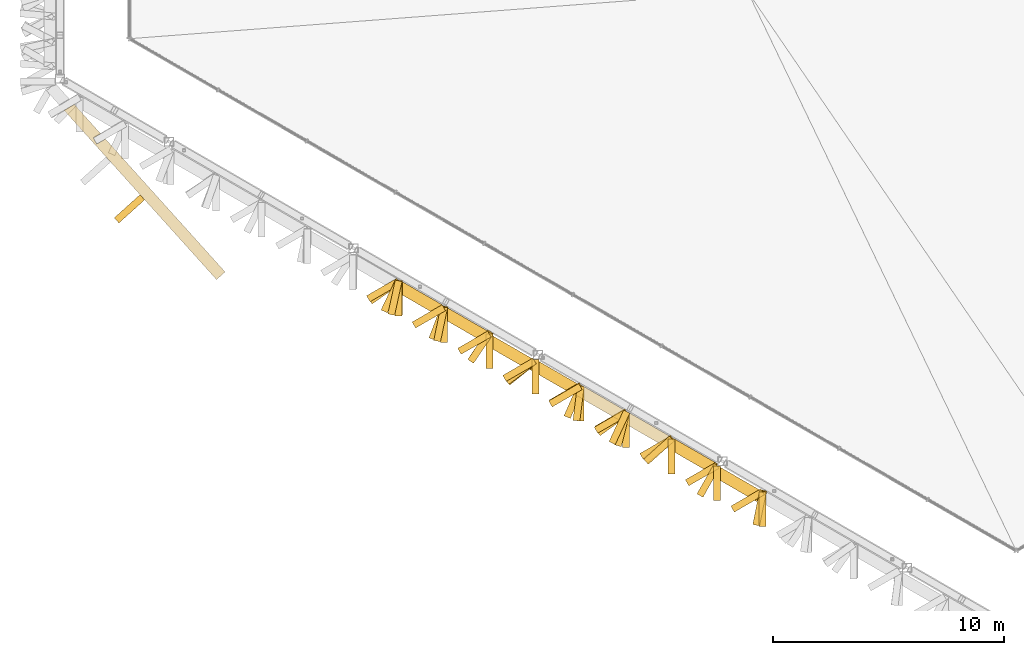
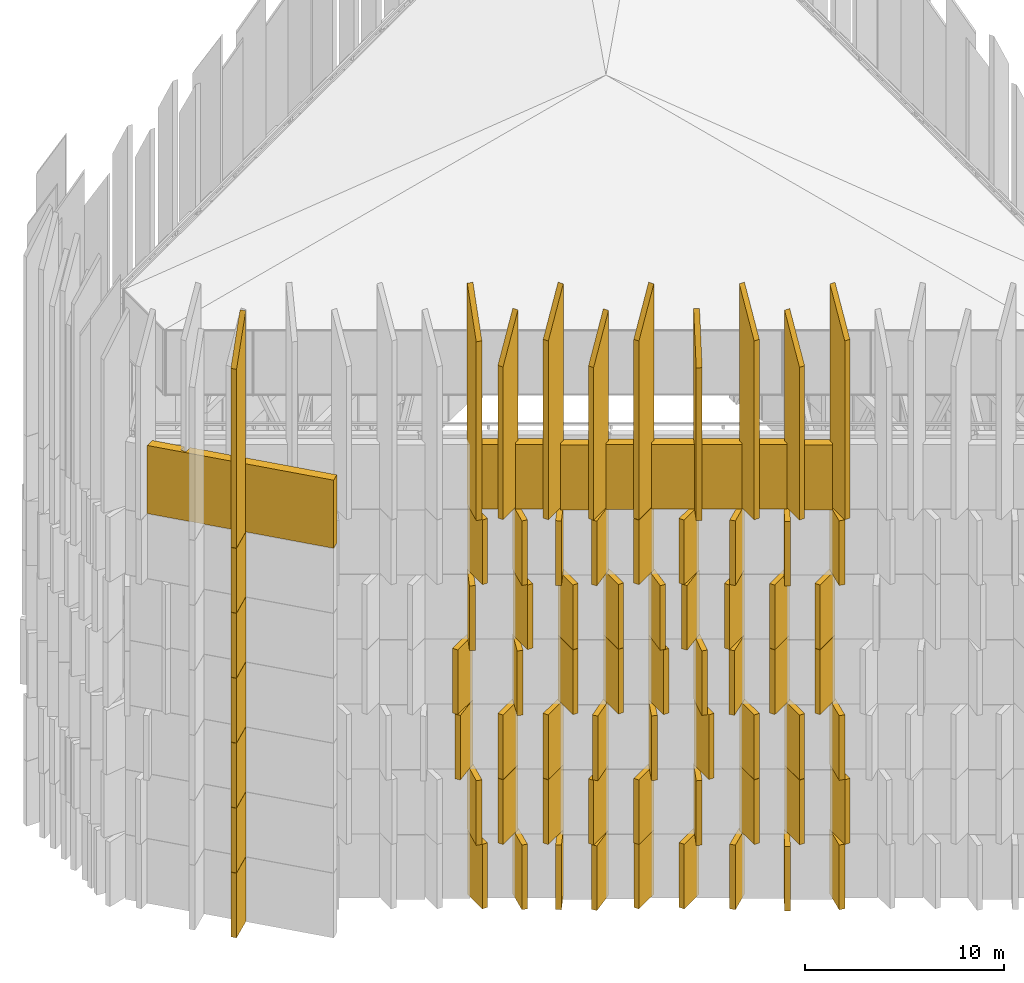
# One storey, part 37 of 45: 79 shading devices.
"""IFC4 building model written with IfcOpenShell, lengths in metres."""

import ifcopenshell
import ifcopenshell.guid

model = None  # the IFC model being written
_history = None  # IfcOwnerHistory: only IFC2X3 demands one
_inside = {}  # id of a spatial element -> (the spatial element, [elements in it])
_under = {}  # id of a project, library or spatial element -> (it, [spatial elements below it])
_declared = {}  # id of a project -> (the project, [libraries it declares])
_typed = {}  # id of a type object -> (the type object, [elements of that type])
_made_of = {}  # id of a material, layer set ... -> (it, [elements and type objects made of it])


def new_model(schema):
    """Start an empty IFC model of exactly this schema.

    Asked for "IFC4X3", IfcOpenShell would pick the latest addendum, in which some entities
    have other attributes; the version numbers below select the first issue.
    IFC2X3 requires an IfcOwnerHistory on every rooted entity: one is made here for all.
    """
    global model, _history
    if schema == "IFC4X3":
        model = ifcopenshell.file(schema_version=(4, 3, 0, 0))
    else:
        model = ifcopenshell.file(schema=schema)
    _inside.clear()
    _under.clear()
    _declared.clear()
    _typed.clear()
    _made_of.clear()
    _history = None
    if model.schema == "IFC2X3":
        org = make("IfcOrganization", Name="unknown")
        user = make(
            "IfcPersonAndOrganization",
            ThePerson=make("IfcPerson", FamilyName="unknown"),
            TheOrganization=org,
        )
        app = make(
            "IfcApplication",
            ApplicationDeveloper=org,
            Version="unknown",
            ApplicationFullName="unknown",
            ApplicationIdentifier="unknown",
        )
        _history = make(
            "IfcOwnerHistory",
            OwningUser=user,
            OwningApplication=app,
            ChangeAction="ADDED",
            CreationDate=0,
        )
    return model


def make(cls, **values):
    """One entity of the class cls with the attributes given. An attribute that is None is left unset."""
    return model.create_entity(
        cls, **{name: value for name, value in values.items() if value is not None}
    )


def rooted(cls, **values):
    """An entity with a GlobalId (a new one), such as an element, a storey or a relation."""
    return make(cls, GlobalId=ifcopenshell.guid.new(), OwnerHistory=_history, **values)


def si_unit(unit_type, name, prefix=None):
    """IfcSIUnit, for example si_unit("LENGTHUNIT", "METRE", prefix="MILLI")."""
    return make("IfcSIUnit", UnitType=unit_type, Prefix=prefix, Name=name)


def assignment(units):
    """IfcUnitAssignment: the units of a project."""
    return None if units is None else make("IfcUnitAssignment", Units=units)


def point(xyz):
    """IfcCartesianPoint."""
    return None if xyz is None else make("IfcCartesianPoint", Coordinates=xyz)


def direction(xyz):
    """IfcDirection."""
    return None if xyz is None else make("IfcDirection", DirectionRatios=xyz)


def frame(location, z_axis=None, x_axis=None):
    """IfcAxis2Placement3D, a coordinate frame: its origin and axes. An axis left out is left unset."""
    return make(
        "IfcAxis2Placement3D",
        Location=point(location),
        Axis=direction(z_axis),
        RefDirection=direction(x_axis),
    )


def frame_2d(location, x_axis=None):
    """IfcAxis2Placement2D, a coordinate frame in the plane: its origin and x axis."""
    return make(
        "IfcAxis2Placement2D", Location=point(location), RefDirection=direction(x_axis)
    )


def origin():
    """The frame at (0, 0, 0) with its axes left unset."""
    return frame((0.0, 0.0, 0.0))


def place(relative_to, where):
    """IfcLocalPlacement: puts the frame where relative to a parent placement (None: the world)."""
    return make(
        "IfcLocalPlacement", PlacementRelTo=relative_to, RelativePlacement=where
    )


def context(
    kind, dimensions, precision=None, world=None, true_north=None, identifier=None
):
    """IfcGeometricRepresentationContext, for example the 3D "Model" context."""
    return make(
        "IfcGeometricRepresentationContext",
        ContextIdentifier=identifier,
        ContextType=kind,
        CoordinateSpaceDimension=dimensions,
        Precision=precision,
        WorldCoordinateSystem=world,
        TrueNorth=true_north,
    )


def subcontext(parent, identifier, kind, view, scale=None):
    """IfcGeometricRepresentationSubContext, for example "Body" below "Model"."""
    return make(
        "IfcGeometricRepresentationSubContext",
        ContextIdentifier=identifier,
        ContextType=kind,
        ParentContext=parent,
        TargetScale=scale,
        TargetView=view,
    )


def project(units=None, contexts=None):
    """IfcProject with its units and contexts."""
    return rooted(
        "IfcProject",
        Name="project",
        RepresentationContexts=contexts,
        UnitsInContext=assignment(units),
    )


def spatial(cls, under=None, at=None, **own):
    """A site, building, storey or space (cls), placed at a placement, below another one or the project."""
    s = rooted(cls, ObjectPlacement=at, **own)
    if under is not None:
        _under.setdefault(under.id(), (under, []))[1].append(s)
    return s


def polyline(points):
    """IfcPolyline through the points."""
    return make("IfcPolyline", Points=[point(p) for p in points])


def profile(cls, at=None, kind="AREA", **sizes):
    """A parametric profile (cls). Its sizes go by their IFC names, for example OverallWidth=200.0."""
    return make(cls, ProfileType=kind, Position=at, **sizes)


def rectangle(**sizes):
    """IfcRectangleProfileDef."""
    return profile("IfcRectangleProfileDef", **sizes)


def outline(outer, holes=None, kind="AREA"):
    """IfcArbitraryClosedProfileDef: a profile drawn as a closed curve; with holes, ...WithVoids."""
    if holes is None:
        return make("IfcArbitraryClosedProfileDef", ProfileType=kind, OuterCurve=outer)
    return make(
        "IfcArbitraryProfileDefWithVoids",
        ProfileType=kind,
        OuterCurve=outer,
        InnerCurves=holes,
    )


def extrude(swept, where, along, depth):
    """IfcExtrudedAreaSolid: the profile swept, set in the frame where, extruded along a direction by depth."""
    return make(
        "IfcExtrudedAreaSolid",
        SweptArea=swept,
        Position=where,
        ExtrudedDirection=direction(along),
        Depth=depth,
    )


def shape(context_of_items, identifier, shape_type, items):
    """IfcShapeRepresentation: the items that make up one representation, for example the "Body"."""
    return make(
        "IfcShapeRepresentation",
        ContextOfItems=context_of_items,
        RepresentationIdentifier=identifier,
        RepresentationType=shape_type,
        Items=items,
    )


def material(Name=None, Category=None):
    """IfcMaterial."""
    return make("IfcMaterial", Name=Name, Category=Category)


def layer(
    of_material, thickness, ventilated=None, Name=None, Category=None, Priority=None
):
    """IfcMaterialLayer: one layer of a wall or slab, of a material (None: an air gap)."""
    return make(
        "IfcMaterialLayer",
        Material=of_material,
        LayerThickness=thickness,
        IsVentilated=ventilated,
        Name=Name,
        Category=Category,
        Priority=Priority,
    )


def layer_set(layers, Name=None):
    """IfcMaterialLayerSet."""
    return make("IfcMaterialLayerSet", MaterialLayers=layers, LayerSetName=Name)


def made_of(thing, what):
    """Note that an element or type object is made of a material, layer set ...; save() writes the relation."""
    if what is not None:
        _made_of.setdefault(what.id(), (what, []))[1].append(thing)
    return thing


def type_object(cls, material=None, **own):
    """A type object (cls), such as IfcWallType, which elements share."""
    return made_of(rooted(cls, **own), material)


def element(
    cls,
    number,
    at=None,
    inside=None,
    cuts=None,
    type_object=None,
    material=None,
    context=None,
    identifier="Body",
    shape_type=None,
    held_by="IfcProductDefinitionShape",
    body=None,
    shapes=None,
    **own,
):
    """One element of the class cls, such as IfcWall. Its Tag is "e" and its number.

    at: its placement. inside: the storey or other place that contains it. cuts: it is an
    opening in that element (IfcRelVoidsElement). A single representation is given by context,
    identifier, shape_type and body (its items); several are given by shapes. held_by: the class
    of the entity that holds the representations. save() writes the other relations.
    """
    e = rooted(cls, Tag="e%d" % number, ObjectPlacement=at, **own)
    if body is not None:
        shapes = [shape(context, identifier, shape_type, body)]
    if shapes is not None:
        e.Representation = make(held_by, Representations=shapes)
    if inside is not None:
        _inside.setdefault(inside.id(), (inside, []))[1].append(e)
    if cuts is not None:
        rooted(
            "IfcRelVoidsElement", RelatingBuildingElement=cuts, RelatedOpeningElement=e
        )
    if type_object is not None:
        _typed.setdefault(type_object.id(), (type_object, []))[1].append(e)
    return made_of(e, material)


def aggregate(whole, parts):
    """IfcRelAggregates: a whole, such as a stair, and the parts it consists of."""
    return rooted("IfcRelAggregates", RelatingObject=whole, RelatedObjects=parts)


def save(model, path):
    """Write the relations noted so far, then the file.

    IfcRelAggregates (storeys below a building ...), IfcRelContainedInSpatialStructure (elements
    in a storey), IfcRelDefinesByType, IfcRelAssociatesMaterial and IfcRelDeclares: one each for
    every whole, place, type object, material and project.
    """
    for whole, parts in _under.values():
        aggregate(whole, parts)
    for where, things in _inside.values():
        rooted(
            "IfcRelContainedInSpatialStructure",
            RelatedElements=things,
            RelatingStructure=where,
        )
    for kind, things in _typed.values():
        rooted("IfcRelDefinesByType", RelatedObjects=things, RelatingType=kind)
    for what, things in _made_of.values():
        rooted("IfcRelAssociatesMaterial", RelatedObjects=things, RelatingMaterial=what)
    for by, libraries in _declared.values():
        rooted("IfcRelDeclares", RelatingContext=by, RelatedDefinitions=libraries)
    model.write(path)


model = new_model("IFC4")

# Units and contexts
model_context = context("Model", 3, precision=1e-05, world=origin(), true_north=direction((0.0, 1.0)))
body_context = subcontext(model_context, "Body", "Model", "MODEL_VIEW")
ifc_project = project(units=[si_unit("LENGTHUNIT", "METRE"), si_unit("AREAUNIT", "SQUARE_METRE"), si_unit("VOLUMEUNIT", "CUBIC_METRE"), si_unit("PLANEANGLEUNIT", "RADIAN"), si_unit("MASSUNIT", "GRAM", prefix="KILO")], contexts=[model_context])

# Site, building, storey
site_placement = place(None, origin())
site = spatial("IfcSite", under=ifc_project, at=site_placement, CompositionType="ELEMENT")
building_placement = place(site_placement, origin())
building = spatial("IfcBuilding", under=site, at=building_placement, Name="Jabali Bay Hotel Tower and Convention Centre", CompositionType="ELEMENT")
storey_placement = place(building_placement, frame((0.0, 0.0, 322.39990234375)))
storey = spatial("IfcBuildingStorey", under=building, at=storey_placement, Name="Crown", CompositionType="ELEMENT", Elevation=322.39990234375)

# Shading devices
ifc_material_1 = material(Name="Aluminium 6063", Category="aluminium")
shading_device_type_1 = type_object("IfcShadingDeviceType", Name="Louvre bank", PredefinedType="USERDEFINED", material=ifc_material_1)
shading_device_1_placement = place(storey_placement, frame((0.0, 0.0, 23.92431640625)))
element("IfcShadingDevice", 1, at=shading_device_1_placement, inside=storey, type_object=shading_device_type_1, Name="Louvre 7.4.63", ObjectType="LOUVRE", PredefinedType="USERDEFINED", context=body_context, shape_type="SweptSolid", body=[
    extrude(outline(polyline([(61.770263671875, 66.450927734375), (60.03515625, 67.45263671875), (59.922119140625, 66.9404296875), (61.270263671875, 66.162109375), (61.770263671875, 66.450927734375)])), origin(), (0.0, 0.0, 1.0), 3.9658203125),
])
shading_device_2_placement = place(storey_placement, frame((0.0, 0.0, 23.92431640625)))
element("IfcShadingDevice", 2, at=shading_device_2_placement, inside=storey, type_object=shading_device_type_1, Name="Louvre 7.4.64", ObjectType="LOUVRE", PredefinedType="USERDEFINED", context=body_context, shape_type="SweptSolid", body=[
    extrude(outline(polyline([(63.74169921875, 65.312744140625), (61.8828125, 66.385986328125), (61.84521484375, 66.321044921875), (61.92041015625, 66.191162109375), (61.6953125, 66.06103515625), (61.6328125, 65.952880859375), (63.24169921875, 65.02392578125), (63.74169921875, 65.312744140625)])), origin(), (0.0, 0.0, 1.0), 3.9658203125),
])
shading_device_3_placement = place(storey_placement, frame((0.0, 0.0, 23.92431640625)))
element("IfcShadingDevice", 3, at=shading_device_3_placement, inside=storey, type_object=shading_device_type_1, Name="Louvre 7.4.65", ObjectType="LOUVRE", PredefinedType="USERDEFINED", context=body_context, shape_type="SweptSolid", body=[
    extrude(outline(polyline([(65.66015625, 64.12060546875), (63.817626953125, 65.184326171875), (63.816650390625, 65.182861328125), (63.891845703125, 65.052734375), (63.666748046875, 64.9228515625), (63.567626953125, 64.751220703125), (65.16015625, 63.831787109375), (65.66015625, 64.12060546875)])), origin(), (0.0, 0.0, 1.0), 3.9658203125),
])
shading_device_4_placement = place(storey_placement, frame((0.0, 0.0, 23.92431640625)))
element("IfcShadingDevice", 4, at=shading_device_4_placement, inside=storey, type_object=shading_device_type_1, Name="Louvre 7.4.66", ObjectType="LOUVRE", PredefinedType="USERDEFINED", context=body_context, shape_type="SweptSolid", body=[
    extrude(outline(polyline([(67.653564453125, 63.018310546875), (65.81005859375, 64.082763671875), (65.767822265625, 64.009521484375), (65.843017578125, 63.879638671875), (65.617919921875, 63.749755859375), (65.56005859375, 63.649658203125), (67.153564453125, 62.729736328125), (67.653564453125, 63.018310546875)])), origin(), (0.0, 0.0, 1.0), 3.9658203125),
])
shading_device_5_placement = place(storey_placement, frame((0.0, 0.0, 23.92431640625)))
element("IfcShadingDevice", 5, at=shading_device_5_placement, inside=storey, type_object=shading_device_type_1, Name="Louvre 7.4.67", ObjectType="LOUVRE", PredefinedType="USERDEFINED", context=body_context, shape_type="SweptSolid", body=[
    extrude(outline(polyline([(69.768310546875, 61.8330078125), (67.797119140625, 62.97119140625), (67.759521484375, 62.906494140625), (67.83447265625, 62.7763671875), (67.609619140625, 62.646484375), (67.547119140625, 62.538330078125), (69.425537109375, 61.45361328125), (69.625732421875, 61.884765625), (69.76171875, 61.821533203125), (69.768310546875, 61.8330078125)])), origin(), (0.0, 0.0, 1.0), 3.9658203125),
])
shading_device_6_placement = place(storey_placement, frame((0.0, 0.0, 23.92431640625)))
element("IfcShadingDevice", 6, at=shading_device_6_placement, inside=storey, type_object=shading_device_type_1, Name="Louvre 7.4.68", ObjectType="LOUVRE", PredefinedType="USERDEFINED", context=body_context, shape_type="SweptSolid", body=[
    extrude(outline(polyline([(71.73974609375, 60.69482421875), (69.897705078125, 61.75830078125), (69.6865234375, 61.30322265625), (71.48974609375, 60.261962890625), (71.55224609375, 60.3701171875), (71.55224609375, 60.6298828125), (71.702392578125, 60.6298828125), (71.73974609375, 60.69482421875)])), origin(), (0.0, 0.0, 1.0), 3.9658203125),
])
shading_device_7_placement = place(storey_placement, frame((0.0, 0.0, 23.92431640625)))
element("IfcShadingDevice", 7, at=shading_device_7_placement, inside=storey, type_object=shading_device_type_1, Name="Louvre 7.4.69", ObjectType="LOUVRE", PredefinedType="USERDEFINED", context=body_context, shape_type="SweptSolid", body=[
    extrude(outline(polyline([(73.711181640625, 59.556640625), (71.852294921875, 60.6298828125), (71.852294921875, 60.052734375), (73.461181640625, 59.123779296875), (73.511962890625, 59.21142578125), (73.511962890625, 59.471435546875), (73.661865234375, 59.471435546875), (73.711181640625, 59.556640625)])), origin(), (0.0, 0.0, 1.0), 3.9658203125),
])
shading_device_8_placement = place(storey_placement, frame((0.0, 0.0, 23.92431640625)))
element("IfcShadingDevice", 8, at=shading_device_8_placement, inside=storey, type_object=shading_device_type_1, Name="Louvre 7.4.70", ObjectType="LOUVRE", PredefinedType="USERDEFINED", context=body_context, shape_type="SweptSolid", body=[
    extrude(outline(polyline([(75.64599609375, 58.355224609375), (73.81201171875, 59.4140625), (73.81201171875, 58.836669921875), (75.39599609375, 57.922119140625), (75.4951171875, 58.09375), (75.4951171875, 58.353515625), (75.64501953125, 58.353515625), (75.64599609375, 58.355224609375)])), origin(), (0.0, 0.0, 1.0), 3.9658203125),
])
shading_device_9_placement = place(storey_placement, frame((0.0, 0.0, 23.92431640625)))
element("IfcShadingDevice", 9, at=shading_device_9_placement, inside=storey, type_object=shading_device_type_1, Name="Louvre 7.W11", ObjectType="LOUVRE", PredefinedType="USERDEFINED", context=body_context, shape_type="SweptSolid", body=[
    extrude(outline(polyline([(46.990234375, 73.852294921875), (45.846923828125, 75.1220703125), (45.404052734375, 74.866455078125), (52.0048828125, 67.53564453125), (52.37646484375, 67.8701171875), (47.1953125, 73.624267578125), (46.821533203125, 73.408447265625), (46.67138671875, 73.668212890625), (46.990234375, 73.852294921875)])), origin(), (0.0, 0.0, 1.0), 4.17578125),
])
ifc_material_2 = material(Name="Precast concrete C60", Category="concrete")
ifc_layer = layer(ifc_material_2, 0.300048828125)
ifc_layer_set = layer_set([ifc_layer], Name="Precast concrete C60")
shading_device_type_2 = type_object("IfcShadingDeviceType", Name="Precast fin 3966 x 1500", PredefinedType="USERDEFINED", material=ifc_layer_set)
for number, where, z_axis, x_axis, name in (
    (10, (59.89892578125, 67.50244140625, 0.010009765625), (0.0, 0.0, 1.0), (0.0, -1.0, 0.0), "Fin Crown:0 063"),
    (11, (61.88427734375, 66.388427734375, 0.010009765625), (0.0, 0.0, 1.0), (-0.203778759726, -0.979016964656, 0.0), "Fin Crown:0 064"),
):
    element("IfcShadingDevice", number, at=place(storey_placement, frame(where, z_axis=z_axis, x_axis=x_axis)), inside=storey, type_object=shading_device_type_2, Name=name, ObjectType="FIN", PredefinedType="USERDEFINED", context=body_context, shape_type="SweptSolid", body=[
        extrude(rectangle(XDim=1.5, YDim=0.300048828125, at=frame_2d((0.75, 0.0))), origin(), (0.0, 0.0, 1.0), 3.9658203125),
    ])
shading_device_10_placement = place(storey_placement, frame((63.873779296875, 65.281494140625, 0.010009765625), z_axis=(0.0, 0.0, 1.0), x_axis=(-0.562599326, -0.82672970092, 0.0)))
element("IfcShadingDevice", 12, at=shading_device_10_placement, inside=storey, type_object=shading_device_type_2, Name="Fin Crown:0 065", ObjectType="FIN", PredefinedType="USERDEFINED", context=body_context, shape_type="SweptSolid", body=[
    extrude(rectangle(XDim=1.500244140625, YDim=0.300048828125, at=frame_2d((0.75, 0.0))), origin(), (0.0, 0.0, 1.0), 3.9658203125),
])
for number, where, z_axis, x_axis, name in (
    (13, (65.773193359375, 64.018798828125, 0.010009765625), (0.0, 0.0, 1.0), (-0.802318424985, -0.596896259772, 0.0), "Fin Crown:0 066"),
    (14, (67.784423828125, 62.94970703125, 0.010009765625), (0.0, 0.0, 1.0), (-0.86599040064, -0.500060622324, 0.0), "Fin Crown:0 067"),
):
    element("IfcShadingDevice", number, at=place(storey_placement, frame(where, z_axis=z_axis, x_axis=x_axis)), inside=storey, type_object=shading_device_type_2, Name=name, ObjectType="FIN", PredefinedType="USERDEFINED", context=body_context, shape_type="SweptSolid", body=[
        extrude(rectangle(XDim=1.499755859375, YDim=0.300048828125, at=frame_2d((0.75, 0.0))), origin(), (0.0, 0.0, 1.0), 3.9658203125),
    ])
for number, where, z_axis, x_axis, name in (
    (15, (69.755859375, 61.8115234375, 0.010009765625), (0.0, 0.0, 1.0), (-0.866031096941, -0.499990139034, 0.0), "Fin Crown:0 068"),
    (16, (71.741455078125, 60.697998046875, 0.010009765625), (0.0, 0.0, 1.0), (-0.744014032654, -0.668163991259, 0.0), "Fin Crown:0 069"),
    (17, (73.674560546875, 59.4931640625, 0.010009765625), (0.0, 0.0, 1.0), (-0.494806183865, -0.869003360413, 0.0), "Fin Crown:0 070"),
):
    element("IfcShadingDevice", number, at=place(storey_placement, frame(where, z_axis=z_axis, x_axis=x_axis)), inside=storey, type_object=shading_device_type_2, Name=name, ObjectType="FIN", PredefinedType="USERDEFINED", context=body_context, shape_type="SweptSolid", body=[
        extrude(rectangle(XDim=1.5, YDim=0.300048828125, at=frame_2d((0.75, 0.0))), origin(), (0.0, 0.0, 1.0), 3.9658203125),
    ])
shading_device_11_placement = place(storey_placement, frame((75.68359375, 58.42041015625, 0.010009765625), z_axis=(0.0, 0.0, 1.0), x_axis=(-0.196585544525, -0.980486676954, 0.0)))
element("IfcShadingDevice", 18, at=shading_device_11_placement, inside=storey, type_object=shading_device_type_2, Name="Fin Crown:0 071", ObjectType="FIN", PredefinedType="USERDEFINED", context=body_context, shape_type="SweptSolid", body=[
    extrude(rectangle(XDim=1.500244140625, YDim=0.300048828125, at=frame_2d((0.75, 0.0))), origin(), (0.0, 0.0, 1.0), 3.9658203125),
])
shading_device_12_placement = place(storey_placement, frame((59.888916015625, 67.48486328125, 3.995849609375), z_axis=(0.0, 0.0, 1.0), x_axis=(-0.215672150214, -0.97646583331, 0.0)))
element("IfcShadingDevice", 19, at=shading_device_12_placement, inside=storey, type_object=shading_device_type_2, Name="Fin Crown:1 063", ObjectType="FIN", PredefinedType="USERDEFINED", context=body_context, shape_type="SweptSolid", body=[
    extrude(rectangle(XDim=1.5, YDim=0.300048828125, at=frame_2d((0.75, 0.0))), origin(), (0.0, 0.0, 1.0), 3.965576171875),
])
shading_device_13_placement = place(storey_placement, frame((61.84521484375, 66.321044921875, 3.995849609375), z_axis=(0.0, 0.0, 1.0), x_axis=(-0.86599040064, -0.500060622324, 0.0)))
element("IfcShadingDevice", 20, at=shading_device_13_placement, inside=storey, type_object=shading_device_type_2, Name="Fin Crown:1 064", ObjectType="FIN", PredefinedType="USERDEFINED", context=body_context, shape_type="SweptSolid", body=[
    extrude(rectangle(XDim=1.499755859375, YDim=0.300048828125, at=frame_2d((0.75, 0.0))), origin(), (0.0, 0.0, 1.0), 3.965576171875),
])
for number, where, z_axis, x_axis, name in (
    (21, (63.816650390625, 65.182861328125, 3.995849609375), (0.0, 0.0, 1.0), (-0.866031096941, -0.499990139034, 0.0), "Fin Crown:1 065"),
    (22, (65.767822265625, 64.009521484375, 3.995849609375), (0.0, 0.0, 1.0), (-0.866031096941, -0.499990139034, 0.0), "Fin Crown:1 066"),
    (23, (67.759521484375, 62.906494140625, 3.995849609375), (0.0, 0.0, 1.0), (-0.866031096941, -0.499990139034, 0.0), "Fin Crown:1 067"),
):
    element("IfcShadingDevice", number, at=place(storey_placement, frame(where, z_axis=z_axis, x_axis=x_axis)), inside=storey, type_object=shading_device_type_2, Name=name, ObjectType="FIN", PredefinedType="USERDEFINED", context=body_context, shape_type="SweptSolid", body=[
        extrude(rectangle(XDim=1.5, YDim=0.300048828125, at=frame_2d((0.75, 0.0))), origin(), (0.0, 0.0, 1.0), 3.965576171875),
    ])
shading_device_14_placement = place(storey_placement, frame((69.76171875, 61.821533203125, 3.995849609375), z_axis=(0.0, 0.0, 1.0), x_axis=(-0.421111306455, -0.907008967748, 0.0)))
element("IfcShadingDevice", 24, at=shading_device_14_placement, inside=storey, type_object=shading_device_type_2, Name="Fin Crown:1 068", ObjectType="FIN", PredefinedType="USERDEFINED", context=body_context, shape_type="SweptSolid", body=[
    extrude(rectangle(XDim=1.499755859375, YDim=0.300048828125, at=frame_2d((0.75, 0.0))), origin(), (0.0, 0.0, 1.0), 3.965576171875),
])
for number, where, z_axis, x_axis, name in (
    (25, (71.702392578125, 60.6298828125, 3.995849609375), (0.0, 0.0, 1.0), (0.0, -1.0, 0.0), "Fin Crown:1 069"),
    (26, (73.661865234375, 59.471435546875, 3.995849609375), (0.0, 0.0, 1.0), (0.0, -1.0, 0.0), "Fin Crown:1 070"),
    (27, (75.64501953125, 58.353515625, 3.995849609375), (0.0, 0.0, 1.0), (0.0, -1.0, 0.0), "Fin Crown:1 071"),
):
    element("IfcShadingDevice", number, at=place(storey_placement, frame(where, z_axis=z_axis, x_axis=x_axis)), inside=storey, type_object=shading_device_type_2, Name=name, ObjectType="FIN", PredefinedType="USERDEFINED", context=body_context, shape_type="SweptSolid", body=[
        extrude(rectangle(XDim=1.5, YDim=0.300048828125, at=frame_2d((0.75, 0.0))), origin(), (0.0, 0.0, 1.0), 3.965576171875),
    ])
for number, where, z_axis, x_axis, name in (
    (28, (59.8798828125, 67.4697265625, 7.9814453125), (0.0, 0.0, 1.0), (-0.816823479659, -0.57688768671, 0.0), "Fin Crown:2 063"),
    (29, (61.84521484375, 66.321044921875, 7.9814453125), (0.0, 0.0, 1.0), (-0.86599040064, -0.500060622324, 0.0), "Fin Crown:2 064"),
):
    element("IfcShadingDevice", number, at=place(storey_placement, frame(where, z_axis=z_axis, x_axis=x_axis)), inside=storey, type_object=shading_device_type_2, Name=name, ObjectType="FIN", PredefinedType="USERDEFINED", context=body_context, shape_type="SweptSolid", body=[
        extrude(rectangle(XDim=1.499755859375, YDim=0.300048828125, at=frame_2d((0.75, 0.0))), origin(), (0.0, 0.0, 1.0), 3.9658203125),
    ])
for number, where, z_axis, x_axis, name in (
    (30, (63.816650390625, 65.182861328125, 7.9814453125), (0.0, 0.0, 1.0), (-0.866031096941, -0.499990139034, 0.0), "Fin Crown:2 065"),
    (31, (65.774658203125, 64.021240234375, 7.9814453125), (0.0, 0.0, 1.0), (-0.782343294002, -0.622847469554, 0.0), "Fin Crown:2 066"),
    (32, (67.7890625, 62.95751953125, 7.9814453125), (0.0, 0.0, 1.0), (-0.404597632243, -0.914494809161, 0.0), "Fin Crown:2 067"),
    (33, (69.73095703125, 61.768310546875, 7.9814453125), (0.0, 0.0, 1.0), (0.0, -1.0, 0.0), "Fin Crown:2 068"),
    (34, (71.702392578125, 60.6298828125, 7.9814453125), (0.0, 0.0, 1.0), (0.0, -1.0, 0.0), "Fin Crown:2 069"),
    (35, (73.661865234375, 59.471435546875, 7.9814453125), (0.0, 0.0, 1.0), (0.0, -1.0, 0.0), "Fin Crown:2 070"),
    (36, (75.658447265625, 58.376708984375, 7.9814453125), (0.0, 0.0, 1.0), (-0.194018493928, -0.980997871564, 0.0), "Fin Crown:2 071"),
):
    element("IfcShadingDevice", number, at=place(storey_placement, frame(where, z_axis=z_axis, x_axis=x_axis)), inside=storey, type_object=shading_device_type_2, Name=name, ObjectType="FIN", PredefinedType="USERDEFINED", context=body_context, shape_type="SweptSolid", body=[
        extrude(rectangle(XDim=1.5, YDim=0.300048828125, at=frame_2d((0.75, 0.0))), origin(), (0.0, 0.0, 1.0), 3.9658203125),
    ])
for number, where, z_axis, x_axis, name in (
    (37, (59.8740234375, 67.459228515625, 11.96728515625), (0.0, 0.0, 1.0), (-0.866031096941, -0.499990139034, 0.0), "Fin Crown:3 063"),
    (38, (61.870849609375, 66.364990234375, 11.96728515625), (0.0, 0.0, 1.0), (-0.354349994749, -0.935112870846, 0.0), "Fin Crown:3 064"),
    (39, (63.816650390625, 65.182861328125, 11.96728515625), (0.0, 0.0, 1.0), (0.0, -1.0, 0.0), "Fin Crown:3 065"),
    (40, (65.81005859375, 64.082763671875, 11.96728515625), (0.0, 0.0, 1.0), (0.0, -1.0, 0.0), "Fin Crown:3 066"),
    (41, (67.759521484375, 62.906494140625, 11.96728515625), (0.0, 0.0, 1.0), (0.0, -1.0, 0.0), "Fin Crown:3 067"),
):
    element("IfcShadingDevice", number, at=place(storey_placement, frame(where, z_axis=z_axis, x_axis=x_axis)), inside=storey, type_object=shading_device_type_2, Name=name, ObjectType="FIN", PredefinedType="USERDEFINED", context=body_context, shape_type="SweptSolid", body=[
        extrude(rectangle(XDim=1.5, YDim=0.300048828125, at=frame_2d((0.75, 0.0))), origin(), (0.0, 0.0, 1.0), 3.965576171875),
    ])
shading_device_15_placement = place(storey_placement, frame((69.748046875, 61.7978515625, 11.96728515625), z_axis=(0.0, 0.0, 1.0), x_axis=(-0.245253435104, -0.969458999943, 0.0)))
element("IfcShadingDevice", 42, at=shading_device_15_placement, inside=storey, type_object=shading_device_type_2, Name="Fin Crown:3 068", ObjectType="FIN", PredefinedType="USERDEFINED", context=body_context, shape_type="SweptSolid", body=[
    extrude(rectangle(XDim=1.500244140625, YDim=0.300048828125, at=frame_2d((0.75, 0.0))), origin(), (0.0, 0.0, 1.0), 3.965576171875),
])
for number, where, z_axis, x_axis, name in (
    (43, (71.714111328125, 60.650634765625, 11.96728515625), (0.0, 0.0, 1.0), (-0.765801048386, -0.643077564755, 0.0), "Fin Crown:3 069"),
    (44, (73.673828125, 59.49169921875, 11.96728515625), (0.0, 0.0, 1.0), (-0.866031096941, -0.499990139034, 0.0), "Fin Crown:3 070"),
):
    element("IfcShadingDevice", number, at=place(storey_placement, frame(where, z_axis=z_axis, x_axis=x_axis)), inside=storey, type_object=shading_device_type_2, Name=name, ObjectType="FIN", PredefinedType="USERDEFINED", context=body_context, shape_type="SweptSolid", body=[
        extrude(rectangle(XDim=1.5, YDim=0.300048828125, at=frame_2d((0.75, 0.0))), origin(), (0.0, 0.0, 1.0), 3.965576171875),
    ])
shading_device_16_placement = place(storey_placement, frame((75.64501953125, 58.353515625, 11.96728515625), z_axis=(0.0, 0.0, 1.0), x_axis=(-0.86599040064, -0.500060622324, 0.0)))
element("IfcShadingDevice", 45, at=shading_device_16_placement, inside=storey, type_object=shading_device_type_2, Name="Fin Crown:3 071", ObjectType="FIN", PredefinedType="USERDEFINED", context=body_context, shape_type="SweptSolid", body=[
    extrude(rectangle(XDim=1.499755859375, YDim=0.300048828125, at=frame_2d((0.75, 0.0))), origin(), (0.0, 0.0, 1.0), 3.965576171875),
])
shading_device_17_placement = place(storey_placement, frame((59.905517578125, 67.513916015625, 15.952880859375), z_axis=(0.0, 0.0, 1.0), x_axis=(-0.431190531354, -0.902260896676, 0.0)))
element("IfcShadingDevice", 46, at=shading_device_17_placement, inside=storey, type_object=shading_device_type_2, Name="Fin Crown:4 063", ObjectType="FIN", PredefinedType="USERDEFINED", context=body_context, shape_type="SweptSolid", body=[
    extrude(rectangle(XDim=1.499755859375, YDim=0.300048828125, at=frame_2d((0.75, 0.0))), origin(), (0.0, 0.0, 1.0), 3.9658203125),
])
for number, where, z_axis, x_axis, name in (
    (47, (61.84521484375, 66.321044921875, 15.952880859375), (0.0, 0.0, 1.0), (0.0, -1.0, 0.0), "Fin Crown:4 064"),
    (48, (63.816650390625, 65.182861328125, 15.952880859375), (0.0, 0.0, 1.0), (0.0, -1.0, 0.0), "Fin Crown:4 065"),
    (49, (65.81005859375, 64.082763671875, 15.952880859375), (0.0, 0.0, 1.0), (0.0, -1.0, 0.0), "Fin Crown:4 066"),
):
    element("IfcShadingDevice", number, at=place(storey_placement, frame(where, z_axis=z_axis, x_axis=x_axis)), inside=storey, type_object=shading_device_type_2, Name=name, ObjectType="FIN", PredefinedType="USERDEFINED", context=body_context, shape_type="SweptSolid", body=[
        extrude(rectangle(XDim=1.5, YDim=0.300048828125, at=frame_2d((0.75, 0.0))), origin(), (0.0, 0.0, 1.0), 3.9658203125),
    ])
shading_device_18_placement = place(storey_placement, frame((67.767822265625, 62.920654296875, 15.952880859375), z_axis=(0.0, 0.0, 1.0), x_axis=(-0.121570640797, -0.992582782087, 0.0)))
element("IfcShadingDevice", 50, at=shading_device_18_placement, inside=storey, type_object=shading_device_type_2, Name="Fin Crown:4 067", ObjectType="FIN", PredefinedType="USERDEFINED", context=body_context, shape_type="SweptSolid", body=[
    extrude(rectangle(XDim=1.500244140625, YDim=0.300048828125, at=frame_2d((0.75, 0.0))), origin(), (0.0, 0.0, 1.0), 3.9658203125),
])
for number, where, z_axis, x_axis, name in (
    (51, (69.73779296875, 61.7802734375, 15.952880859375), (0.0, 0.0, 1.0), (-0.809411229408, -0.587242251297, 0.0), "Fin Crown:4 068"),
    (52, (71.702392578125, 60.6298828125, 15.952880859375), (0.0, 0.0, 1.0), (-0.866031096941, -0.499990139034, 0.0), "Fin Crown:4 069"),
    (53, (73.673828125, 59.49169921875, 15.952880859375), (0.0, 0.0, 1.0), (-0.866031096941, -0.499990139034, 0.0), "Fin Crown:4 070"),
):
    element("IfcShadingDevice", number, at=place(storey_placement, frame(where, z_axis=z_axis, x_axis=x_axis)), inside=storey, type_object=shading_device_type_2, Name=name, ObjectType="FIN", PredefinedType="USERDEFINED", context=body_context, shape_type="SweptSolid", body=[
        extrude(rectangle(XDim=1.5, YDim=0.300048828125, at=frame_2d((0.75, 0.0))), origin(), (0.0, 0.0, 1.0), 3.9658203125),
    ])
shading_device_19_placement = place(storey_placement, frame((75.64501953125, 58.353515625, 15.952880859375), z_axis=(0.0, 0.0, 1.0), x_axis=(-0.86599040064, -0.500060622324, 0.0)))
element("IfcShadingDevice", 54, at=shading_device_19_placement, inside=storey, type_object=shading_device_type_2, Name="Fin Crown:4 071", ObjectType="FIN", PredefinedType="USERDEFINED", context=body_context, shape_type="SweptSolid", body=[
    extrude(rectangle(XDim=1.499755859375, YDim=0.300048828125, at=frame_2d((0.75, 0.0))), origin(), (0.0, 0.0, 1.0), 3.9658203125),
])
for number, where, z_axis, x_axis, name in (
    (55, (59.8740234375, 67.459228515625, 19.938720703125), (0.0, 0.0, 1.0), (0.0, -1.0, 0.0), "Fin Crown:5 063"),
    (56, (61.859375, 66.34521484375, 19.938720703125), (0.0, 0.0, 1.0), (-0.203934755706, -0.978984481703, 0.0), "Fin Crown:5 064"),
):
    element("IfcShadingDevice", number, at=place(storey_placement, frame(where, z_axis=z_axis, x_axis=x_axis)), inside=storey, type_object=shading_device_type_2, Name=name, ObjectType="FIN", PredefinedType="USERDEFINED", context=body_context, shape_type="SweptSolid", body=[
        extrude(rectangle(XDim=1.5, YDim=0.300048828125, at=frame_2d((0.75, 0.0))), origin(), (0.0, 0.0, 1.0), 3.965576171875),
    ])
for number, where, z_axis, x_axis, name in (
    (57, (63.8486328125, 65.238037109375, 19.938720703125), (0.0, 0.0, 1.0), (-0.562563780366, -0.826753889027, 0.0), "Fin Crown:5 065"),
    (58, (65.773193359375, 64.018798828125, 19.938720703125), (0.0, 0.0, 1.0), (-0.802318424985, -0.596896259772, 0.0), "Fin Crown:5 066"),
):
    element("IfcShadingDevice", number, at=place(storey_placement, frame(where, z_axis=z_axis, x_axis=x_axis)), inside=storey, type_object=shading_device_type_2, Name=name, ObjectType="FIN", PredefinedType="USERDEFINED", context=body_context, shape_type="SweptSolid", body=[
        extrude(rectangle(XDim=1.499755859375, YDim=0.300048828125, at=frame_2d((0.75, 0.0))), origin(), (0.0, 0.0, 1.0), 3.965576171875),
    ])
for number, where, z_axis, x_axis, name in (
    (59, (67.759521484375, 62.906494140625, 19.938720703125), (0.0, 0.0, 1.0), (-0.866031096941, -0.499990139034, 0.0), "Fin Crown:5 067"),
    (60, (69.73095703125, 61.768310546875, 19.938720703125), (0.0, 0.0, 1.0), (-0.866031096941, -0.499990139034, 0.0), "Fin Crown:5 068"),
    (61, (71.716552734375, 60.654541015625, 19.938720703125), (0.0, 0.0, 1.0), (-0.744167593842, -0.667992958252, 0.0), "Fin Crown:5 069"),
    (62, (73.674560546875, 59.4931640625, 19.938720703125), (0.0, 0.0, 1.0), (-0.494806183865, -0.869003360413, 0.0), "Fin Crown:5 070"),
    (63, (75.65869140625, 58.376953125, 19.938720703125), (0.0, 0.0, 1.0), (-0.196616916786, -0.980480386358, 0.0), "Fin Crown:5 071"),
):
    element("IfcShadingDevice", number, at=place(storey_placement, frame(where, z_axis=z_axis, x_axis=x_axis)), inside=storey, type_object=shading_device_type_2, Name=name, ObjectType="FIN", PredefinedType="USERDEFINED", context=body_context, shape_type="SweptSolid", body=[
        extrude(rectangle(XDim=1.5, YDim=0.300048828125, at=frame_2d((0.75, 0.0))), origin(), (0.0, 0.0, 1.0), 3.965576171875),
    ])
shading_device_20_placement = place(storey_placement, frame((59.888916015625, 67.48486328125, 23.92431640625), z_axis=(0.0, 0.0, 1.0), x_axis=(-0.215672150214, -0.97646583331, 0.0)))
element("IfcShadingDevice", 64, at=shading_device_20_placement, inside=storey, type_object=shading_device_type_2, Name="Fin Crown:6 063", ObjectType="FIN", PredefinedType="USERDEFINED", context=body_context, shape_type="SweptSolid", body=[
    extrude(outline(polyline([(0.0, 0.0), (1.5, 0.0), (1.5, 10.9677734375), (0.0, 13.565673828125), (0.0, 0.0)])), frame((0.0, 0.14990234375, 0.0), z_axis=(0.0, -1.0, 0.0), x_axis=(1.0, 0.0, 0.0)), (0.0, 0.0, 1.0), 0.300048828125),
])
shading_device_21_placement = place(storey_placement, frame((61.84521484375, 66.321044921875, 23.92431640625), z_axis=(0.0, 0.0, 1.0), x_axis=(-0.86599040064, -0.500060622324, 0.0)))
element("IfcShadingDevice", 65, at=shading_device_21_placement, inside=storey, type_object=shading_device_type_2, Name="Fin Crown:6 064", ObjectType="FIN", PredefinedType="USERDEFINED", context=body_context, shape_type="SweptSolid", body=[
    extrude(outline(polyline([(0.0, 0.0), (1.499755859375, 0.0), (1.5, 9.36767578125), (0.0, 11.9658203125), (0.0, 0.0)])), frame((0.0, 0.14990234375, 0.0), z_axis=(0.0, -1.0, 0.0), x_axis=(1.0, 0.0, 0.0)), (0.0, 0.0, 1.0), 0.300048828125),
])
shading_device_22_placement = place(storey_placement, frame((63.816650390625, 65.182861328125, 23.92431640625), z_axis=(0.0, 0.0, 1.0), x_axis=(-0.866031096941, -0.499990139034, 0.0)))
element("IfcShadingDevice", 66, at=shading_device_22_placement, inside=storey, type_object=shading_device_type_2, Name="Fin Crown:6 065", ObjectType="FIN", PredefinedType="USERDEFINED", context=body_context, shape_type="SweptSolid", body=[
    extrude(outline(polyline([(0.0, 0.0), (1.5, 0.0), (1.5, 10.9677734375), (0.0, 13.565673828125), (0.0, 0.0)])), frame((0.0, 0.14990234375, 0.0), z_axis=(0.0, -1.0, 0.0), x_axis=(1.0, 0.0, 0.0)), (0.0, 0.0, 1.0), 0.300048828125),
])
shading_device_23_placement = place(storey_placement, frame((65.767822265625, 64.009521484375, 23.92431640625), z_axis=(0.0, 0.0, 1.0), x_axis=(-0.866031096941, -0.499990139034, 0.0)))
element("IfcShadingDevice", 67, at=shading_device_23_placement, inside=storey, type_object=shading_device_type_2, Name="Fin Crown:6 066", ObjectType="FIN", PredefinedType="USERDEFINED", context=body_context, shape_type="SweptSolid", body=[
    extrude(outline(polyline([(0.0, 0.0), (1.5, 0.0), (1.5, 9.36767578125), (0.0, 11.9658203125), (0.0, 0.0)])), frame((0.0, 0.14990234375, 0.0), z_axis=(0.0, -1.0, 0.0), x_axis=(1.0, 0.0, 0.0)), (0.0, 0.0, 1.0), 0.300048828125),
])
shading_device_24_placement = place(storey_placement, frame((67.759521484375, 62.906494140625, 23.92431640625), z_axis=(0.0, 0.0, 1.0), x_axis=(-0.866031096941, -0.499990139034, 0.0)))
element("IfcShadingDevice", 68, at=shading_device_24_placement, inside=storey, type_object=shading_device_type_2, Name="Fin Crown:6 067", ObjectType="FIN", PredefinedType="USERDEFINED", context=body_context, shape_type="SweptSolid", body=[
    extrude(outline(polyline([(0.0, 0.0), (1.5, 0.0), (1.5, 10.9677734375), (0.0, 13.565673828125), (0.0, 0.0)])), frame((0.0, 0.14990234375, 0.0), z_axis=(0.0, -1.0, 0.0), x_axis=(1.0, 0.0, 0.0)), (0.0, 0.0, 1.0), 0.300048828125),
])
shading_device_25_placement = place(storey_placement, frame((69.76171875, 61.821533203125, 23.92431640625), z_axis=(0.0, 0.0, 1.0), x_axis=(-0.421111306455, -0.907008967748, 0.0)))
element("IfcShadingDevice", 69, at=shading_device_25_placement, inside=storey, type_object=shading_device_type_2, Name="Fin Crown:6 068", ObjectType="FIN", PredefinedType="USERDEFINED", context=body_context, shape_type="SweptSolid", body=[
    extrude(outline(polyline([(0.0, 0.0), (1.499755859375, 0.0), (1.5, 9.36767578125), (0.0, 11.9658203125), (0.0, 0.0)])), frame((0.0, 0.14990234375, 0.0), z_axis=(0.0, -1.0, 0.0), x_axis=(1.0, 0.0, 0.0)), (0.0, 0.0, 1.0), 0.300048828125),
])
shading_device_26_placement = place(storey_placement, frame((71.702392578125, 60.6298828125, 23.92431640625), z_axis=(0.0, 0.0, 1.0), x_axis=(0.0, -1.0, 0.0)))
element("IfcShadingDevice", 70, at=shading_device_26_placement, inside=storey, type_object=shading_device_type_2, Name="Fin Crown:6 069", ObjectType="FIN", PredefinedType="USERDEFINED", context=body_context, shape_type="SweptSolid", body=[
    extrude(outline(polyline([(0.0, 0.0), (1.5, 0.0), (1.5, 10.9677734375), (0.0, 13.565673828125), (0.0, 0.0)])), frame((0.0, 0.14990234375, 0.0), z_axis=(0.0, -1.0, 0.0), x_axis=(1.0, 0.0, 0.0)), (0.0, 0.0, 1.0), 0.300048828125),
])
shading_device_27_placement = place(storey_placement, frame((73.661865234375, 59.471435546875, 23.92431640625), z_axis=(0.0, 0.0, 1.0), x_axis=(0.0, -1.0, 0.0)))
element("IfcShadingDevice", 71, at=shading_device_27_placement, inside=storey, type_object=shading_device_type_2, Name="Fin Crown:6 070", ObjectType="FIN", PredefinedType="USERDEFINED", context=body_context, shape_type="SweptSolid", body=[
    extrude(outline(polyline([(0.0, 0.0), (1.5, 0.0), (1.5, 9.36767578125), (0.0, 11.9658203125), (0.0, 0.0)])), frame((0.0, 0.14990234375, 0.0), z_axis=(0.0, -1.0, 0.0), x_axis=(1.0, 0.0, 0.0)), (0.0, 0.0, 1.0), 0.300048828125),
])
shading_device_28_placement = place(storey_placement, frame((75.64501953125, 58.353515625, 23.92431640625), z_axis=(0.0, 0.0, 1.0), x_axis=(0.0, -1.0, 0.0)))
element("IfcShadingDevice", 72, at=shading_device_28_placement, inside=storey, type_object=shading_device_type_2, Name="Fin Crown:6 071", ObjectType="FIN", PredefinedType="USERDEFINED", context=body_context, shape_type="SweptSolid", body=[
    extrude(outline(polyline([(0.0, 0.0), (1.5, 0.0), (1.5, 10.9677734375), (0.0, 13.565673828125), (0.0, 0.0)])), frame((0.0, 0.14990234375, 0.0), z_axis=(0.0, -1.0, 0.0), x_axis=(1.0, 0.0, 0.0)), (0.0, 0.0, 1.0), 0.300048828125),
])
shading_device_29_placement = place(storey_placement, frame((48.79296875, 71.1025390625, 0.010009765625), z_axis=(0.0, 0.0, 1.0), x_axis=(-0.743164643271, -0.669108595814, 0.0)))
element("IfcShadingDevice", 73, at=shading_device_29_placement, inside=storey, type_object=shading_device_type_2, Name="Fin W1.11", ObjectType="FIN", PredefinedType="USERDEFINED", context=body_context, shape_type="SweptSolid", body=[
    extrude(rectangle(XDim=1.5, YDim=0.300048828125, at=frame_2d((0.75, 0.0))), origin(), (0.0, 0.0, 1.0), 3.9658203125),
])
shading_device_30_placement = place(storey_placement, frame((48.79296875, 71.1025390625, 3.995849609375), z_axis=(0.0, 0.0, 1.0), x_axis=(-0.743164643271, -0.669108595814, 0.0)))
element("IfcShadingDevice", 74, at=shading_device_30_placement, inside=storey, type_object=shading_device_type_2, Name="Fin W2.11", ObjectType="FIN", PredefinedType="USERDEFINED", context=body_context, shape_type="SweptSolid", body=[
    extrude(rectangle(XDim=1.5, YDim=0.300048828125, at=frame_2d((0.75, 0.0))), origin(), (0.0, 0.0, 1.0), 3.965576171875),
])
shading_device_31_placement = place(storey_placement, frame((48.79296875, 71.1025390625, 7.9814453125), z_axis=(0.0, 0.0, 1.0), x_axis=(-0.743164643271, -0.669108595814, 0.0)))
element("IfcShadingDevice", 75, at=shading_device_31_placement, inside=storey, type_object=shading_device_type_2, Name="Fin W3.11", ObjectType="FIN", PredefinedType="USERDEFINED", context=body_context, shape_type="SweptSolid", body=[
    extrude(rectangle(XDim=1.5, YDim=0.300048828125, at=frame_2d((0.75, 0.0))), origin(), (0.0, 0.0, 1.0), 3.9658203125),
])
shading_device_32_placement = place(storey_placement, frame((48.79296875, 71.1025390625, 11.96728515625), z_axis=(0.0, 0.0, 1.0), x_axis=(-0.743164643271, -0.669108595814, 0.0)))
element("IfcShadingDevice", 76, at=shading_device_32_placement, inside=storey, type_object=shading_device_type_2, Name="Fin W4.11", ObjectType="FIN", PredefinedType="USERDEFINED", context=body_context, shape_type="SweptSolid", body=[
    extrude(rectangle(XDim=1.5, YDim=0.300048828125, at=frame_2d((0.75, 0.0))), origin(), (0.0, 0.0, 1.0), 3.965576171875),
])
shading_device_33_placement = place(storey_placement, frame((48.79296875, 71.1025390625, 15.952880859375), z_axis=(0.0, 0.0, 1.0), x_axis=(-0.743164643271, -0.669108595814, 0.0)))
element("IfcShadingDevice", 77, at=shading_device_33_placement, inside=storey, type_object=shading_device_type_2, Name="Fin W5.11", ObjectType="FIN", PredefinedType="USERDEFINED", context=body_context, shape_type="SweptSolid", body=[
    extrude(rectangle(XDim=1.5, YDim=0.300048828125, at=frame_2d((0.75, 0.0))), origin(), (0.0, 0.0, 1.0), 3.9658203125),
])
shading_device_34_placement = place(storey_placement, frame((48.79296875, 71.1025390625, 19.938720703125), z_axis=(0.0, 0.0, 1.0), x_axis=(-0.743164643271, -0.669108595814, 0.0)))
element("IfcShadingDevice", 78, at=shading_device_34_placement, inside=storey, type_object=shading_device_type_2, Name="Fin W6.11", ObjectType="FIN", PredefinedType="USERDEFINED", context=body_context, shape_type="SweptSolid", body=[
    extrude(rectangle(XDim=1.5, YDim=0.300048828125, at=frame_2d((0.75, 0.0))), origin(), (0.0, 0.0, 1.0), 3.965576171875),
])
shading_device_35_placement = place(storey_placement, frame((48.79296875, 71.1025390625, 23.92431640625), z_axis=(0.0, 0.0, 1.0), x_axis=(-0.743164643271, -0.669108595814, 0.0)))
element("IfcShadingDevice", 79, at=shading_device_35_placement, inside=storey, type_object=shading_device_type_2, Name="Fin W7.11", ObjectType="FIN", PredefinedType="USERDEFINED", context=body_context, shape_type="SweptSolid", body=[
    extrude(outline(polyline([(0.0, 0.0), (1.5, 0.0), (1.5, 10.9677734375), (0.0, 13.565673828125), (0.0, 0.0)])), frame((0.0, 0.14990234375, 0.0), z_axis=(0.0, -1.0, 0.0), x_axis=(1.0, 0.0, 0.0)), (0.0, 0.0, 1.0), 0.300048828125),
])

save(model, "model.ifc")
